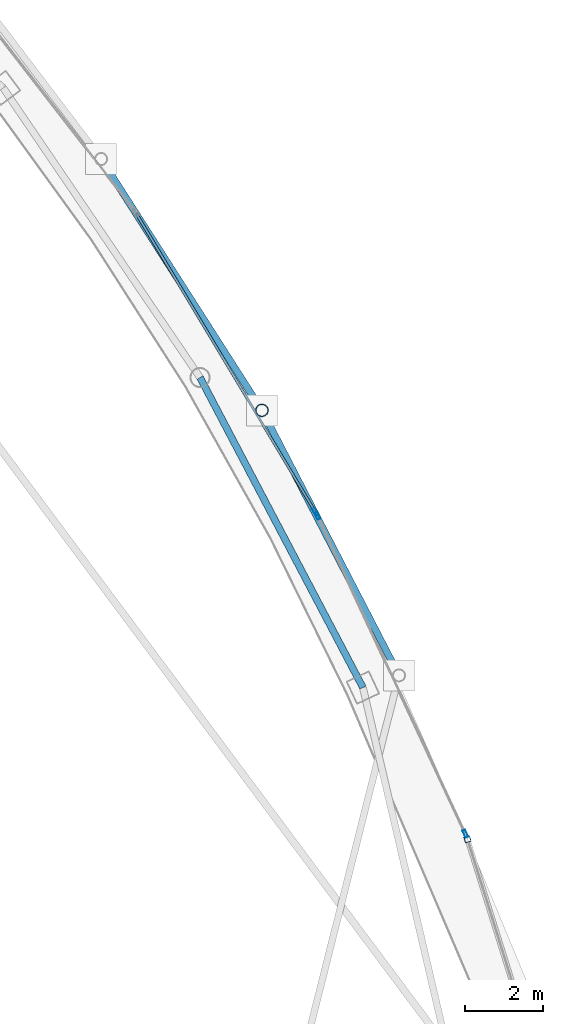
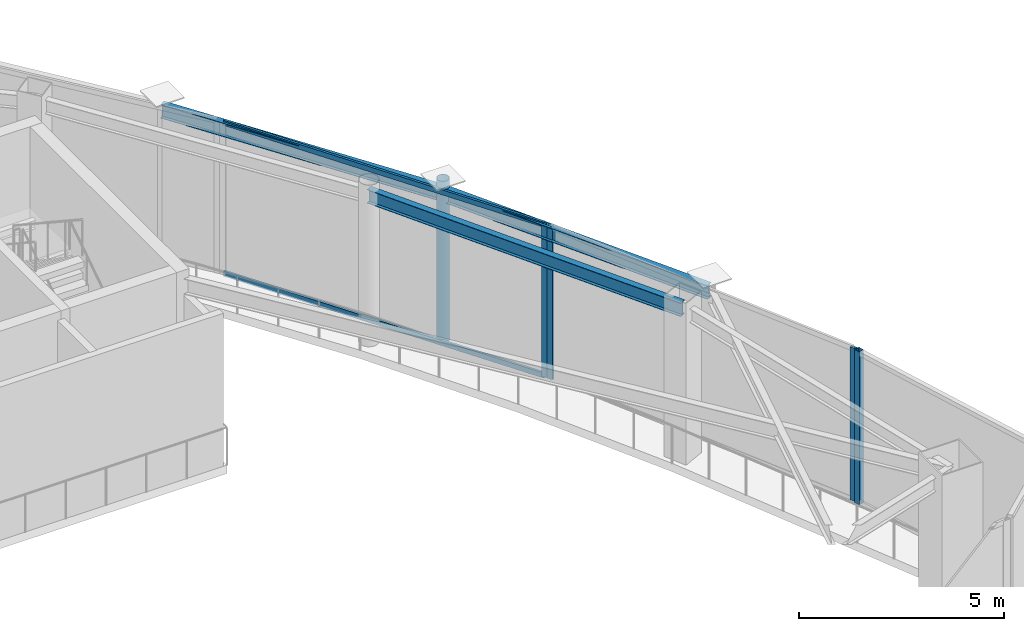
# One storey, part 13 of 19: 7 members, 3 beams, 3 elements without a shape of their own.
"""IFC4 building model written with IfcOpenShell, lengths in metres."""

from ifc_helpers import new_model, si_unit, direction, frame, origin, origin_2d, place, context, subcontext, project, spatial, hollow_rectangle, hollow_circle, i_section, extrude, material, layer, layer_set, material_profile, profile_set, type_object, element, aggregate, save


model = new_model("IFC4")

# Units and contexts
model_context = context("Model", 3, precision=1e-05, world=origin(), true_north=direction((0.0, 1.0)))
body_context = subcontext(model_context, "Body", "Model", "MODEL_VIEW")
ifc_project = project(units=[si_unit("LENGTHUNIT", "METRE"), si_unit("AREAUNIT", "SQUARE_METRE"), si_unit("VOLUMEUNIT", "CUBIC_METRE"), si_unit("PLANEANGLEUNIT", "RADIAN"), si_unit("MASSUNIT", "GRAM", prefix="KILO")], contexts=[model_context])

# Site, building, storey
site_placement = place(None, origin())
site = spatial("IfcSite", under=ifc_project, at=site_placement, CompositionType="ELEMENT")
building_placement = place(site_placement, origin())
building = spatial("IfcBuilding", under=site, at=building_placement, Name="Orvanel Arch Residences", CompositionType="ELEMENT")
storey_placement = place(building_placement, frame((0.0, 0.0, 290.89990234375)))
storey = spatial("IfcBuildingStorey", under=building, at=storey_placement, Name="L82", CompositionType="ELEMENT", Elevation=290.89990234375)

# Curtain wall, member
ifc_material_1 = material(Name="Bronze-anodised aluminium AA6063-T6", Category="aluminium")
ifc_layer = layer(ifc_material_1, 0.2099609375)
ifc_layer_set = layer_set([ifc_layer], Name="Bronze-anodised aluminium AA6063-T6")
curtain_wall_type = type_object("IfcCurtainWallType", Name="CW7-TOP-SYS", PredefinedType="NOTDEFINED", material=ifc_layer_set)
curtain_wall_1_placement = place(storey_placement, origin())
curtain_wall_1 = element("IfcCurtainWall", 1, at=curtain_wall_1_placement, inside=storey, type_object=curtain_wall_type, Name="L82 CW7-TOP-SYS Unitised Curtain Wall", PredefinedType="NOTDEFINED")
ifc_material_profile_1 = material_profile(ifc_material_1, hollow_rectangle(XDim=0.14990234375, YDim=0.14990234375, WallThickness=0.0048828125, at=origin_2d()), Name="ALU150x150x5")
ifc_profile_set_1 = profile_set([ifc_material_profile_1], Name="Bronze-anodised aluminium AA6063-T6")
member_type_1 = type_object("IfcMemberType", Name="MUL-150x150", PredefinedType="MULLION", material=ifc_profile_set_1)
member_1_placement = place(storey_placement, frame((52.330322265625, 15.7294921875, 0.0), z_axis=(0.0, 0.0, 1.0), x_axis=(-0.954283945864, -0.298901573542, 0.0)))
member_1 = element("IfcMember", 2, at=member_1_placement, type_object=member_type_1, Name="CW-S7 mullion 2", PredefinedType="MULLION", context=body_context, shape_type="SweptSolid", body=[
    extrude(hollow_rectangle(XDim=0.14990234375, YDim=0.14990234375, WallThickness=0.0048828125, at=origin_2d()), origin(), (0.0, 0.0, 1.0), 4.550048828125),
])
aggregate(curtain_wall_1, [member_1])

# Curtain wall, members
curtain_wall_2_placement = place(storey_placement, origin())
curtain_wall_2 = element("IfcCurtainWall", 3, at=curtain_wall_2_placement, inside=storey, type_object=curtain_wall_type, Name="L82 CW7-TOP-SYS Unitised Curtain Wall", PredefinedType="NOTDEFINED")
ifc_material_profile_2 = material_profile(ifc_material_1, hollow_rectangle(XDim=0.074951171875, YDim=0.199951171875, WallThickness=0.0048828125, at=origin_2d()), Name="ALU200x75x5")
ifc_profile_set_2 = profile_set([ifc_material_profile_2], Name="Bronze-anodised aluminium AA6063-T6")
member_type_2 = type_object("IfcMemberType", Name="MUL-200x75", PredefinedType="MULLION", material=ifc_profile_set_2)
member_2_placement = place(storey_placement, frame((52.278076171875, 15.8720703125, 0.0), z_axis=(0.0, 0.0, 1.0), x_axis=(-0.906426569511, -0.422363438385, 0.0)))
member_2 = element("IfcMember", 4, at=member_2_placement, type_object=member_type_2, Name="CW-S7 mullion 1", PredefinedType="MULLION", context=body_context, shape_type="SweptSolid", body=[
    extrude(hollow_rectangle(XDim=0.074951171875, YDim=0.199951171875, WallThickness=0.0048828125, at=origin_2d()), origin(), (0.0, 0.0, 1.0), 4.550048828125),
])
member_3_placement = place(storey_placement, frame((48.455810546875, 24.074951171875, 0.0), z_axis=(0.0, 0.0, 1.0), x_axis=(-0.906426569511, -0.422363438385, 0.0)))
member_3 = element("IfcMember", 5, at=member_3_placement, type_object=member_type_2, Name="CW-S7 mullion 2", PredefinedType="MULLION", context=body_context, shape_type="SweptSolid", body=[
    extrude(hollow_rectangle(XDim=0.074951171875, YDim=0.199951171875, WallThickness=0.0048828125, at=origin_2d()), origin(), (0.0, 0.0, 1.0), 4.550048828125),
])
aggregate(curtain_wall_2, [member_2, member_3])

# Curtain wall, member
curtain_wall_3_placement = place(storey_placement, origin())
curtain_wall_3 = element("IfcCurtainWall", 6, at=curtain_wall_3_placement, inside=storey, type_object=curtain_wall_type, Name="L82 CW7-TOP-SYS Unitised Curtain Wall", PredefinedType="NOTDEFINED")
member_4_placement = place(storey_placement, frame((48.402587890625, 24.17626953125, 0.0), z_axis=(0.0, 0.0, 1.0), x_axis=(-0.857522096821, -0.514447133788, 0.0)))
member_4 = element("IfcMember", 7, at=member_4_placement, type_object=member_type_2, Name="CW-S7 mullion 1", PredefinedType="MULLION", context=body_context, shape_type="SweptSolid", body=[
    extrude(hollow_rectangle(XDim=0.074951171875, YDim=0.199951171875, WallThickness=0.0048828125, at=origin_2d()), origin(), (0.0, 0.0, 1.0), 4.550048828125),
])

# Beams
ifc_material_2 = material(Name="Structural steel AS/NZS 3679.1 Grade 300 (300 MPa)", Category="steel")
ifc_material_profile_3 = material_profile(ifc_material_2, i_section(OverallWidth=0.177978515625, OverallDepth=0.406005859375, WebThickness=0.0078125, FlangeThickness=0.0126953125, at=origin_2d()), Name="410UB59.7")
ifc_profile_set_3 = profile_set([ifc_material_profile_3], Name="Structural steel AS/NZS 3679.1 Grade 300 (300 MPa)")
beam_type_1 = type_object("IfcBeamType", Name="OB-410UB", PredefinedType="SPANDREL", material=ifc_profile_set_3)
beam_1_placement = place(storey_placement, frame((49.633056640625, 19.64208984375, 4.34716796875), z_axis=(-0.465064762793, 0.885276660942, 0.0), x_axis=(-0.885276660942, -0.465064762793, 0.0)))
element("IfcBeam", 8, at=beam_1_placement, inside=storey, type_object=beam_type_1, Name="L82 Perimeter Spandrel Beam 07", PredefinedType="SPANDREL", context=body_context, shape_type="SweptSolid", body=[
    extrude(i_section(OverallWidth=0.177978515625, OverallDepth=0.406005859375, WebThickness=0.0078125, FlangeThickness=0.0126953125, at=origin_2d()), origin(), (0.0, 0.0, 1.0), 9.03564453125),
])
ifc_material_profile_4 = material_profile(ifc_material_2, i_section(OverallWidth=0.177978515625, OverallDepth=0.406005859375, WebThickness=0.0078125, FlangeThickness=0.0126953125, at=origin_2d()), Name="410UB59.7")
ifc_profile_set_4 = profile_set([ifc_material_profile_4], Name="Structural steel AS/NZS 3679.1 Grade 300 (300 MPa)")
beam_type_2 = type_object("IfcBeamType", Name="OB-410UB-EXT", PredefinedType="SPANDREL", material=ifc_profile_set_4)
beam_2_placement = place(storey_placement, frame((50.56396484375, 19.9580078125, 4.34716796875), z_axis=(-0.459425507077, 0.888216304425, 0.0), x_axis=(-0.888216304425, -0.459425507077, 0.0)))
element("IfcBeam", 9, at=beam_2_placement, inside=storey, type_object=beam_type_2, Name="L82 Outer Perimeter Floor Ring Beam 09", PredefinedType="SPANDREL", context=body_context, shape_type="SweptSolid", body=[
    extrude(i_section(OverallWidth=0.177978515625, OverallDepth=0.406005859375, WebThickness=0.0078125, FlangeThickness=0.0126953125, at=origin_2d()), origin(), (0.0, 0.0, 1.0), 7.698486328125),
])
beam_3_placement = place(storey_placement, frame((47.027099609375, 26.7958984375, 4.34716796875), z_axis=(-0.538901583392, 0.842368733642, 0.0), x_axis=(-0.842368733642, -0.538901583392, 0.0)))
element("IfcBeam", 10, at=beam_3_placement, inside=storey, type_object=beam_type_2, Name="L82 Outer Perimeter Floor Ring Beam 10", PredefinedType="SPANDREL", context=body_context, shape_type="SweptSolid", body=[
    extrude(i_section(OverallWidth=0.177978515625, OverallDepth=0.406005859375, WebThickness=0.0078125, FlangeThickness=0.0126953125, at=origin_2d()), origin(), (0.0, 0.0, 1.0), 7.697509765625),
])

# Member
ifc_material_3 = material(Name="Structural steel AS/NZS 1163 C350L0 (Grade 350)", Category="steel")
ifc_material_profile_5 = material_profile(ifc_material_3, hollow_circle(Radius=0.162109375, WallThickness=0.0126953125, at=origin_2d()), Name="CHS324x12.7")
ifc_profile_set_5 = profile_set([ifc_material_profile_5], Name="Structural steel AS/NZS 1163 C350L0 (Grade 350)")
member_type_3 = type_object("IfcMemberType", Name="ST-324CHS-EXT", PredefinedType="STRUT", material=ifc_profile_set_5)
member_5_placement = place(storey_placement, frame((47.027099609375, 26.7958984375, 0.0), z_axis=(0.0, 0.0, 1.0), x_axis=(1.0, 0.0, 0.0)))
element("IfcMember", 11, at=member_5_placement, inside=storey, type_object=member_type_3, Name="L82 Outer Perimeter Frame Post 10", PredefinedType="STRUT", context=body_context, shape_type="SweptSolid", body=[
    extrude(hollow_circle(Radius=0.162109375, WallThickness=0.0126953125, at=origin_2d()), origin(), (0.0, 0.0, 1.0), 4.800048828125),
])

ifc_material_profile_6 = material_profile(ifc_material_1, hollow_rectangle(XDim=0.06494140625, YDim=0.14990234375, WallThickness=0.00390625, at=origin_2d()), Name="ALU150x65x4")
ifc_profile_set_6 = profile_set([ifc_material_profile_6], Name="Bronze-anodised aluminium AA6063-T6")
member_type_4 = type_object("IfcMemberType", Name="TRN-150x65", PredefinedType="USERDEFINED", material=ifc_profile_set_6)
member_6_placement = place(storey_placement, frame((48.38330078125, 24.208251953125, 0.03271484375), z_axis=(-0.514447475071, 0.857521892078, 0.0), x_axis=(-0.857521892078, -0.514447475071, 0.0)))
member_6 = element("IfcMember", 12, at=member_6_placement, type_object=member_type_4, Name="CW-S7 transom 1.1", ObjectType="TRANSOM", PredefinedType="USERDEFINED", context=body_context, shape_type="SweptSolid", body=[
    extrude(hollow_rectangle(XDim=0.06494140625, YDim=0.14990234375, WallThickness=0.00390625, at=origin_2d()), origin(), (0.0, 0.0, 1.0), 8.923828125),
])

member_7_placement = place(storey_placement, frame((48.38330078125, 24.208251953125, 4.517578125), z_axis=(-0.514447475071, 0.857521892078, 0.0), x_axis=(-0.857521892078, -0.514447475071, 0.0)))
member_7 = element("IfcMember", 13, at=member_7_placement, type_object=member_type_4, Name="CW-S7 transom 1.2", ObjectType="TRANSOM", PredefinedType="USERDEFINED", context=body_context, shape_type="SweptSolid", body=[
    extrude(hollow_rectangle(XDim=0.06494140625, YDim=0.14990234375, WallThickness=0.00390625, at=origin_2d()), origin(), (0.0, 0.0, 1.0), 8.923828125),
])

aggregate(curtain_wall_3, [member_4, member_6, member_7])

save(model, "model.ifc")
